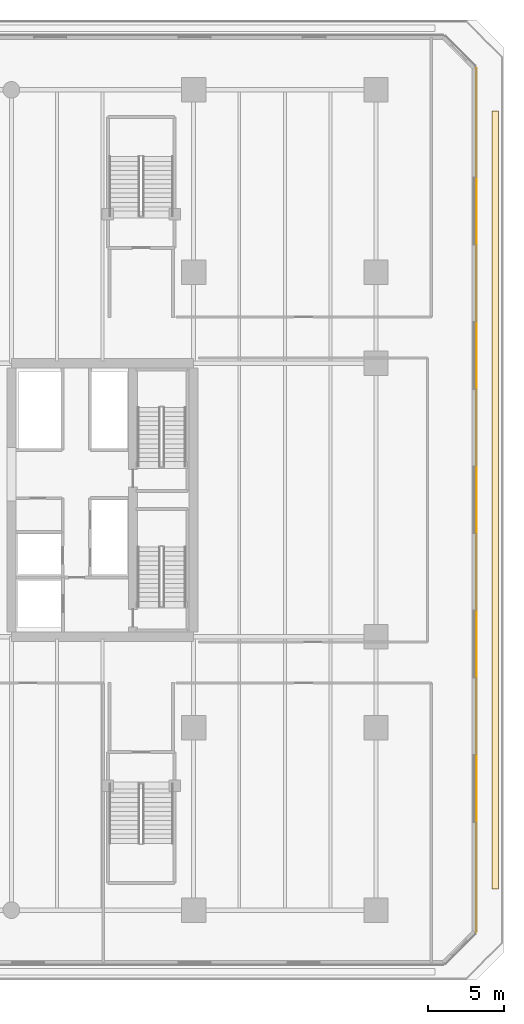
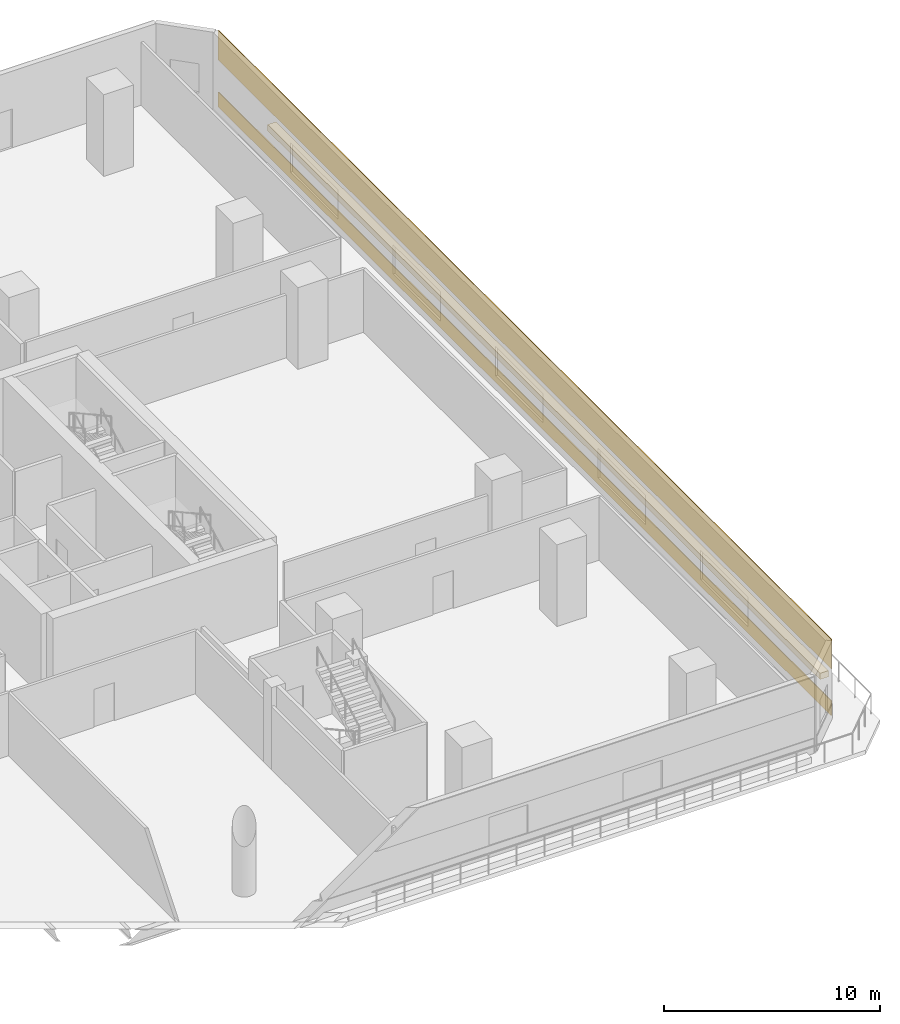
# One storey, part 24 of 27: 3 coverings.
"""IFC4 building model written with IfcOpenShell, lengths in metres."""

from ifc_helpers import new_model, si_unit, direction, frame, origin, origin_2d, place, context, subcontext, project, spatial, polyline, rectangle, outline, extrude, material, layer, layer_set, type_object, element, save


model = new_model("IFC4")

# Units and contexts
model_context = context("Model", 3, precision=1e-05, world=origin(), true_north=direction((0.0, 1.0)))
body_context = subcontext(model_context, "Body", "Model", "MODEL_VIEW")
ifc_project = project(units=[si_unit("LENGTHUNIT", "METRE"), si_unit("AREAUNIT", "SQUARE_METRE"), si_unit("VOLUMEUNIT", "CUBIC_METRE"), si_unit("PLANEANGLEUNIT", "RADIAN"), si_unit("MASSUNIT", "GRAM", prefix="KILO")], contexts=[model_context])

# Site, building, storey
site_placement = place(None, origin())
site = spatial("IfcSite", under=ifc_project, at=site_placement, CompositionType="ELEMENT")
building_placement = place(site_placement, origin())
building = spatial("IfcBuilding", under=site, at=building_placement, Name="Tanjung Sevakor Pilgrim Tower", CompositionType="ELEMENT")
storey_placement = place(building_placement, frame((0.0, 0.0, 14.85009765625)))
storey = spatial("IfcBuildingStorey", under=building, at=storey_placement, Name="L04", CompositionType="ELEMENT", Elevation=14.85009765625)

# Coverings
ifc_material_1 = material(Name="Reconstructed Limestone Cladding", Category="masonry")
ifc_layer_1 = layer(ifc_material_1, 0.044921875)
ifc_layer_set_1 = layer_set([ifc_layer_1], Name="COV-CLAD-LIMESTONE")
covering_type_1 = type_object("IfcCoveringType", Name="COV-CLAD-LIMESTONE", PredefinedType="CLADDING", material=ifc_layer_set_1)
covering_1_placement = place(storey_placement, frame((108.62255859375, 33.60009765625, 0.009765625), z_axis=(0.0, 0.0, 1.0), x_axis=(0.0, 1.0, 0.0)))
element("IfcCovering", 1, at=covering_1_placement, inside=storey, type_object=covering_type_1, Name="L04 Warm Limestone Sill Spandrel EW-L04-MAIN-3-1", PredefinedType="CLADDING", context=body_context, shape_type="SweptSolid", body=[
    extrude(rectangle(XDim=56.803955078125, YDim=0.044921875, at=origin_2d()), origin(), (0.0, 0.0, 1.0), 0.840087890625),
])
covering_2_placement = place(storey_placement, frame((108.62255859375, 33.60009765625, 2.659912109375), z_axis=(0.0, 0.0, 1.0), x_axis=(0.0, 1.0, 0.0)))
element("IfcCovering", 2, at=covering_2_placement, inside=storey, type_object=covering_type_1, Name="L04 Warm Limestone Cornice Spandrel EW-L04-MAIN-3", PredefinedType="CLADDING", context=body_context, shape_type="SweptSolid", body=[
    extrude(rectangle(XDim=56.843994140625, YDim=0.044921875, at=origin_2d()), origin(), (0.0, 0.0, 1.0), 1.669921875),
])
ifc_material_2 = material(Name="Vegetated Modular Planter Assembly", Category="organic")
ifc_layer_2 = layer(ifc_material_2, 0.35009765625)
ifc_layer_set_2 = layer_set([ifc_layer_2], Name="COV-GRN-TROUGH")
covering_type_2 = type_object("IfcCoveringType", Name="COV-GRN-TROUGH", PredefinedType="CLADDING", material=ifc_layer_set_2)
covering_3_placement = place(storey_placement, origin())
element("IfcCovering", 3, at=covering_3_placement, inside=storey, type_object=covering_type_2, Name="L04 Planted Landscape Hedge Trough PGRN-L04-E", PredefinedType="CLADDING", context=body_context, shape_type="SweptSolid", body=[
    extrude(outline(polyline([(110.070068359375, 8.0), (110.070068359375, 59.199951171875), (109.6298828125, 59.199951171875), (109.6298828125, 8.0), (110.070068359375, 8.0)])), origin(), (0.0, 0.0, 1.0), 0.349853515625),
])

save(model, "model.ifc")
